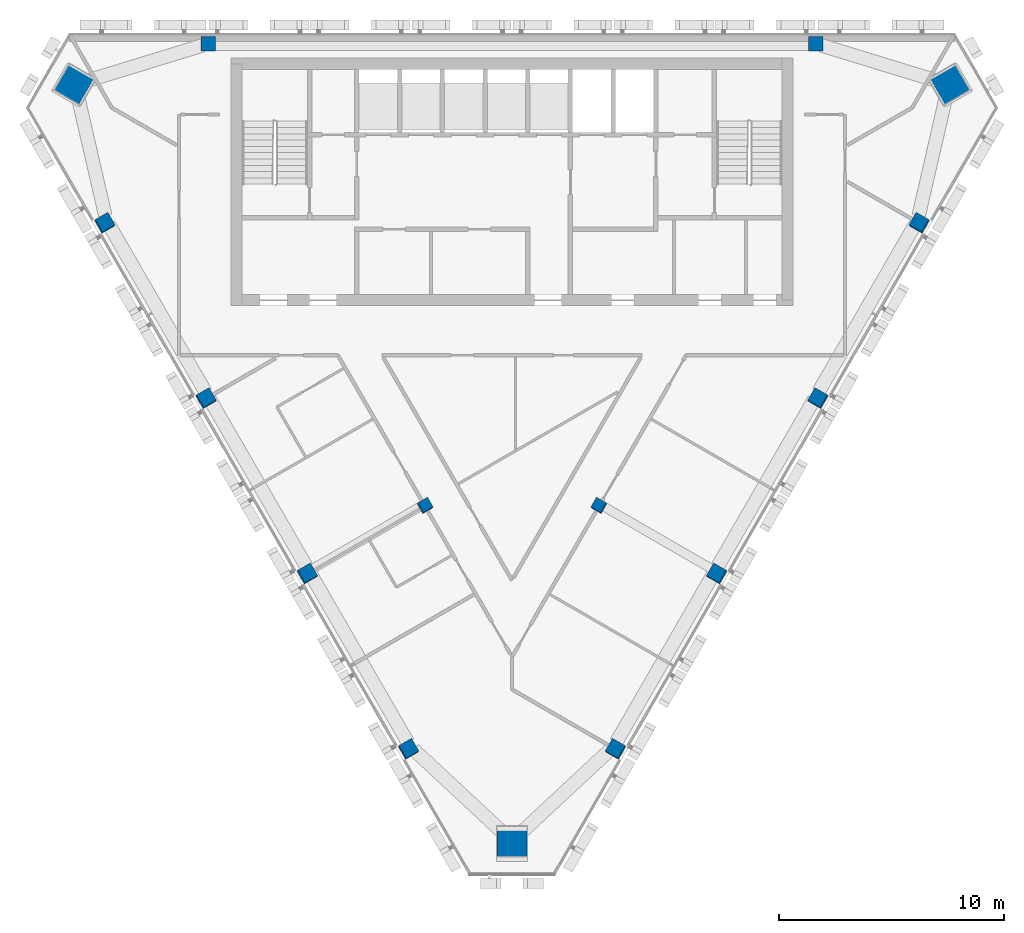
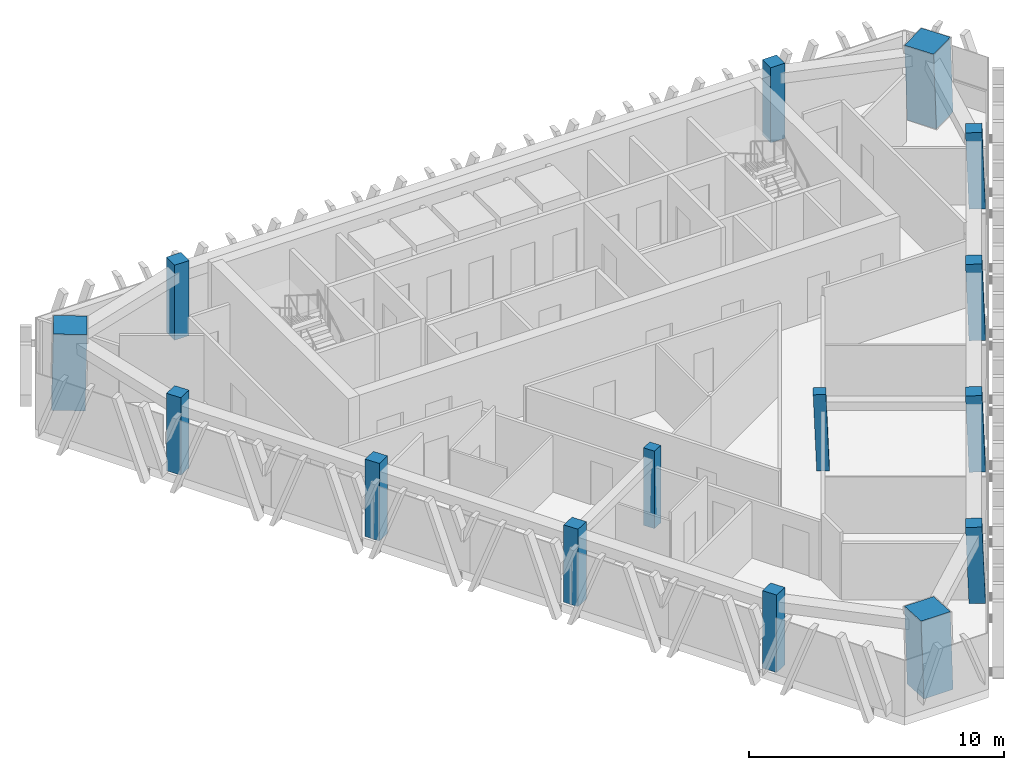
# One storey, part 1 of 12: 15 columns.
"""IFC4 building model written with IfcOpenShell, lengths in metres."""

from ifc_helpers import new_model, si_unit, direction, frame, origin, origin_2d, place, context, subcontext, project, spatial, rectangle, extrude, material, material_profile, profile_set, type_object, element, save


model = new_model("IFC4")

# Units and contexts
model_context = context("Model", 3, precision=1e-05, world=origin(), true_north=direction((0.0, 1.0)))
body_context = subcontext(model_context, "Body", "Model", "MODEL_VIEW")
ifc_project = project(units=[si_unit("LENGTHUNIT", "METRE"), si_unit("AREAUNIT", "SQUARE_METRE"), si_unit("VOLUMEUNIT", "CUBIC_METRE"), si_unit("PLANEANGLEUNIT", "RADIAN"), si_unit("MASSUNIT", "GRAM", prefix="KILO")], contexts=[model_context])

# Site, building, storey
site_placement = place(None, origin())
site = spatial("IfcSite", under=ifc_project, at=site_placement, CompositionType="ELEMENT")
building_placement = place(site_placement, origin())
building = spatial("IfcBuilding", under=site, at=building_placement, Name="Altiplano Prism Tower", CompositionType="ELEMENT")
storey_placement = place(building_placement, frame((0.0, 0.0, 316.60009765625)))
storey = spatial("IfcBuildingStorey", under=building, at=storey_placement, Name="L82", CompositionType="ELEMENT", Elevation=316.60009765625)

# Columns
ifc_material_1 = material(Name="Concrete C60/75", Category="concrete")
ifc_material_profile_1 = material_profile(ifc_material_1, rectangle(XDim=0.5, YDim=0.5, at=origin_2d()), Name="Inner column 500")
ifc_profile_set_1 = profile_set([ifc_material_profile_1], Name="Concrete C60/75")
column_type_1 = type_object("IfcColumnType", Name="Inner column 500", PredefinedType="COLUMN", material=ifc_profile_set_1)
for number, where, z_axis, x_axis, name in (
    (1, (81.126953125, 83.99755859375, -0.01513671875), (0.022222852987, 0.038483477124, 0.999012095419), (-0.865639352107, -0.499186721818, 0.038485436791), "Inner column I13 L82"),
    (2, (88.873046875, 83.99755859375, -0.01513671875), (-0.022222852987, 0.038483477124, 0.999012095419), (-0.500174626395, -0.865639439229, 0.022219459073), "Inner column I22 L82"),
):
    element("IfcColumn", number, at=place(storey_placement, frame(where, z_axis=z_axis, x_axis=x_axis)), inside=storey, type_object=column_type_1, Name=name, PredefinedType="COLUMN", context=body_context, shape_type="SweptSolid", body=[
        extrude(rectangle(XDim=0.5, YDim=0.5, at=origin_2d()), origin(), (0.0, 0.0, 1.0), 3.603515625),
    ])
ifc_material_2 = material(Name="Concrete C70/85", Category="concrete")
ifc_material_profile_2 = material_profile(ifc_material_2, rectangle(XDim=1.320068359375, YDim=1.320068359375, at=origin_2d()), Name="Mega column infill 1400")
ifc_profile_set_2 = profile_set([ifc_material_profile_2], Name="Concrete C70/85")
column_type_2 = type_object("IfcColumnType", Name="Mega column infill 1400", PredefinedType="COLUMN", material=ifc_profile_set_2)
column_1_placement = place(storey_placement, frame((65.478271484375, 102.700927734375, 0.0), z_axis=(0.028403721265, 0.009287135593, 0.999553389135), x_axis=(-0.866200449521, 0.499297278989, 0.019975195736)))
element("IfcColumn", 3, at=column_1_placement, inside=storey, type_object=column_type_2, Name="Mega column M0 L82", PredefinedType="COLUMN", context=body_context, shape_type="SweptSolid", body=[
    extrude(rectangle(XDim=1.320068359375, YDim=1.320068359375, at=origin_2d()), origin(), (0.0, 0.0, 1.0), 3.6015625),
])
column_2_placement = place(storey_placement, frame((85.0, 68.888427734375, 0.0), z_axis=(0.0, 0.058360852261, 0.998295552892), x_axis=(-1.0, 0.0, 0.0)))
element("IfcColumn", 4, at=column_2_placement, inside=storey, type_object=column_type_2, Name="Mega column M1 L82", PredefinedType="COLUMN", context=body_context, shape_type="SweptSolid", body=[
    extrude(rectangle(XDim=1.320068359375, YDim=1.320068359375, at=origin_2d()), origin(), (0.0, 0.0, 1.0), 3.60595703125),
])
column_3_placement = place(storey_placement, frame((104.521728515625, 102.700927734375, 0.0), z_axis=(-0.028403721265, 0.009287135593, 0.999553389135), x_axis=(0.498888775048, -0.86638096488, 0.022226421766)))
element("IfcColumn", 5, at=column_3_placement, inside=storey, type_object=column_type_2, Name="Mega column M2 L82", PredefinedType="COLUMN", context=body_context, shape_type="SweptSolid", body=[
    extrude(rectangle(XDim=1.320068359375, YDim=1.320068359375, at=origin_2d()), origin(), (0.0, 0.0, 1.0), 3.6015625),
])
ifc_material_profile_3 = material_profile(ifc_material_1, rectangle(XDim=0.64990234375, YDim=0.64990234375, at=origin_2d()), Name="Perimeter column 650")
ifc_profile_set_3 = profile_set([ifc_material_profile_3], Name="Concrete C60/75")
column_type_3 = type_object("IfcColumnType", Name="Perimeter column 650", PredefinedType="COLUMN", material=ifc_profile_set_3)
for number, where, z_axis, x_axis, name in (
    (6, (98.5, 104.550048828125, 0.0), (0.0, 0.0, 1.0), (1.0, 0.0, 0.0), "Perimeter column P01 L82"),
    (7, (71.5, 104.550048828125, 0.0), (0.0, 0.0, 1.0), (1.0, 0.0, 0.0), "Perimeter column P04 L82"),
):
    element("IfcColumn", number, at=place(storey_placement, frame(where, z_axis=z_axis, x_axis=x_axis)), inside=storey, type_object=column_type_3, Name=name, PredefinedType="COLUMN", context=body_context, shape_type="SweptSolid", body=[
        extrude(rectangle(XDim=0.64990234375, YDim=0.64990234375, at=origin_2d()), origin(), (0.0, 0.0, 1.0), 3.599853515625),
    ])
for number, where, z_axis, x_axis, name in (
    (8, (66.887451171875, 96.560791015625, -0.019775390625), (0.022222852987, 0.038483477124, 0.999012095419), (-0.865639352107, -0.499186721818, 0.038485436791), "Perimeter column P11 L82"),
    (9, (71.387451171875, 88.7666015625, -0.019775390625), (0.022222852987, 0.038483477124, 0.999012095419), (-0.865639352107, -0.499186721818, 0.038485436791), "Perimeter column P12 L82"),
    (10, (75.887451171875, 80.972412109375, -0.019775390625), (0.022222910879, 0.038415824599, 0.999014697916), (-0.866021322354, -0.498527672539, 0.038434736118), "Perimeter column P13 L82"),
    (11, (80.387451171875, 73.17822265625, -0.019775390625), (0.022222910879, 0.038415824599, 0.999014697916), (-0.866021322354, -0.498527672539, 0.038434736118), "Perimeter column P14 L82"),
    (12, (89.612548828125, 73.17822265625, -0.019775390625), (-0.022222910879, 0.038415824599, 0.999014697916), (-0.499512974266, -0.866022161456, 0.022190187181), "Perimeter column P21 L82"),
    (13, (94.112548828125, 80.972412109375, -0.019775390625), (-0.022222910879, 0.038415824599, 0.999014697916), (-0.499512974266, -0.866022161456, 0.022190187181), "Perimeter column P22 L82"),
    (14, (98.612548828125, 88.7666015625, -0.019775390625), (-0.022222852987, 0.038483477124, 0.999012095419), (-0.500174626395, -0.865639439229, 0.022219459073), "Perimeter column P23 L82"),
    (15, (103.112548828125, 96.560791015625, -0.019775390625), (-0.022222852987, 0.038483477124, 0.999012095419), (-0.500174626395, -0.865639439229, 0.022219459073), "Perimeter column P24 L82"),
):
    element("IfcColumn", number, at=place(storey_placement, frame(where, z_axis=z_axis, x_axis=x_axis)), inside=storey, type_object=column_type_3, Name=name, PredefinedType="COLUMN", context=body_context, shape_type="SweptSolid", body=[
        extrude(rectangle(XDim=0.64990234375, YDim=0.64990234375, at=origin_2d()), origin(), (0.0, 0.0, 1.0), 3.603515625),
    ])

save(model, "model.ifc")
